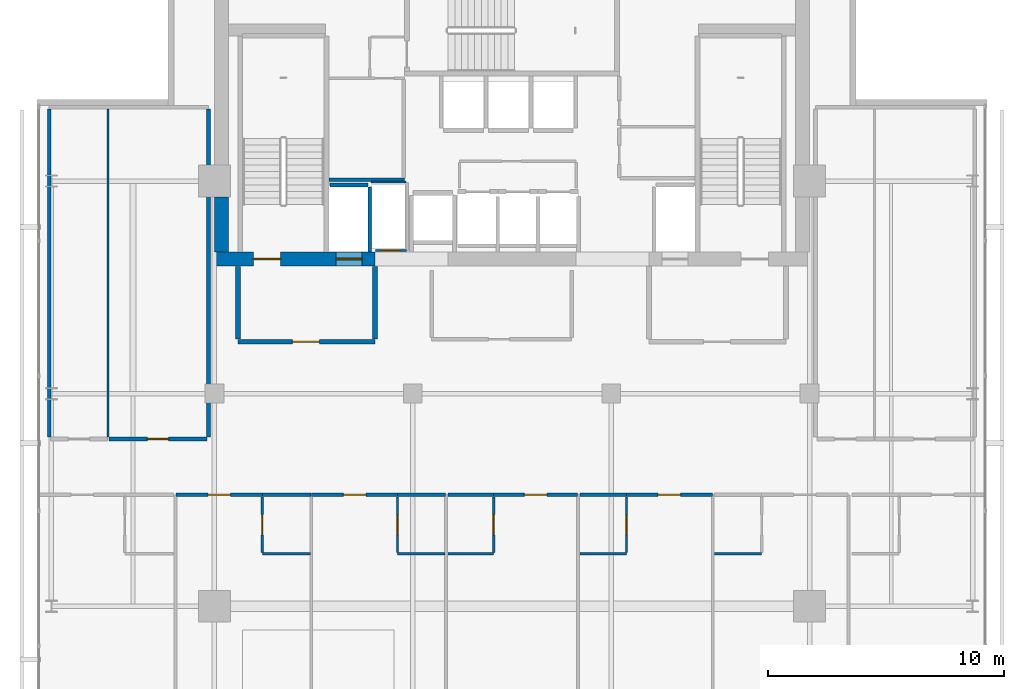
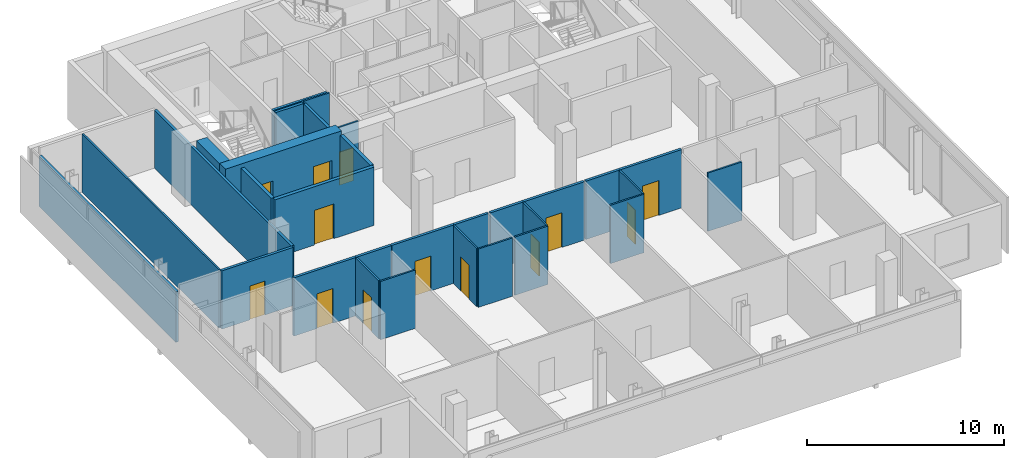
# One storey, part 17 of 24: 31 walls, 13 doors, 13 openings.
"""IFC4 building model written with IfcOpenShell, lengths in metres."""

from ifc_helpers import new_model, si_unit, direction, frame, frame_2d, origin, place, context, subcontext, project, spatial, rectangle, extrude, material, layer, layer_set, type_object, element, fill, save


model = new_model("IFC4")

# Units and contexts
model_context = context("Model", 3, precision=1e-05, world=origin(), true_north=direction((0.0, 1.0)))
body_context = subcontext(model_context, "Body", "Model", "MODEL_VIEW")
ifc_project = project(units=[si_unit("LENGTHUNIT", "METRE"), si_unit("AREAUNIT", "SQUARE_METRE"), si_unit("VOLUMEUNIT", "CUBIC_METRE"), si_unit("PLANEANGLEUNIT", "RADIAN"), si_unit("MASSUNIT", "GRAM", prefix="KILO")], contexts=[model_context])

# Site, building, storey
site_placement = place(None, origin())
site = spatial("IfcSite", under=ifc_project, at=site_placement, CompositionType="ELEMENT")
building_placement = place(site_placement, origin())
building = spatial("IfcBuilding", under=site, at=building_placement, Name="Maruvema Waterfront Hotel and Observation Tower", CompositionType="ELEMENT")
storey_placement = place(building_placement, frame((0.0, 0.0, 329.699951171875)))
storey = spatial("IfcBuildingStorey", under=building, at=storey_placement, Name="L81", CompositionType="ELEMENT", Elevation=329.699951171875)

# Walls
ifc_material_1 = material(Name="Twin-stud acoustic gypsum drywall", Category="gypsum")
ifc_layer_1 = layer(ifc_material_1, 0.14990234375, Name="Acoustic Corridor and Suite Demising Wall 150 mm")
ifc_layer_set_1 = layer_set([ifc_layer_1], Name="Twin-stud acoustic gypsum drywall")
wall_type_1 = type_object("IfcWallType", Name="Acoustic Corridor and Suite Demising Wall 150 mm", PredefinedType="PARTITIONING", material=ifc_layer_set_1)
wall_1_placement = place(storey_placement, frame((30.06005859375, 45.06005859375, 0.0), z_axis=(0.0, 0.0, 1.0), x_axis=(1.0, 0.0, 0.0)))
element("IfcWall", 1, at=wall_1_placement, inside=storey, type_object=wall_type_1, Name="L81 Freed B1 South Wall 013", PredefinedType="PARTITIONING", context=body_context, shape_type="SweptSolid", body=[
    extrude(rectangle(XDim=3.179931640625, YDim=0.14990234375, at=frame_2d((1.58984375, 0.0))), origin(), (0.0, 0.0, 1.0), 3.610107421875),
])
wall_2_placement = place(storey_placement, frame((18.199951171875, 34.159912109375, 0.0), z_axis=(0.0, 0.0, 1.0), x_axis=(0.0, 1.0, 0.0)))
element("IfcWall", 2, at=wall_2_placement, inside=storey, type_object=wall_type_1, Name="L81 L81-Z4W West Wall 026", PredefinedType="PARTITIONING", context=body_context, shape_type="SweptSolid", body=[
    extrude(rectangle(XDim=13.885009765625, YDim=0.14990234375, at=frame_2d((6.9423828125, 0.0))), origin(), (0.0, 0.0, 1.0), 3.14111328125),
])
wall_3_placement = place(storey_placement, frame((24.949951171875, 34.159912109375, 0.0), z_axis=(0.0, 0.0, 1.0), x_axis=(0.0, 1.0, 0.0)))
element("IfcWall", 3, at=wall_3_placement, inside=storey, type_object=wall_type_1, Name="L81 L81-Z4W East Wall 027", PredefinedType="PARTITIONING", context=body_context, shape_type="SweptSolid", body=[
    extrude(rectangle(XDim=13.885009765625, YDim=0.14990234375, at=frame_2d((6.9423828125, 0.0))), origin(), (0.0, 0.0, 1.0), 3.610107421875),
])

# Wall, opening, door
wall_4_placement = place(storey_placement, frame((20.7275390625, 34.080078125, 0.0), z_axis=(0.0, 0.0, 1.0), x_axis=(1.0, 0.0, 0.0)))
wall_4 = element("IfcWall", 4, at=wall_4_placement, inside=storey, type_object=wall_type_1, Name="L81 L81-Z4W Front 2 030", PredefinedType="PARTITIONING", context=body_context, shape_type="SweptSolid", body=[
    extrude(rectangle(XDim=4.162353515625, YDim=0.14990234375, at=frame_2d((2.0810546875, 0.0))), origin(), (0.0, 0.0, 1.0), 3.610107421875),
])
opening_1_placement = place(wall_4_placement, frame((1.63134765625, 0.0, 0.0)))
opening_1 = element("IfcOpeningElement", 5, at=opening_1_placement, cuts=wall_4, Name="Opening DR-090", PredefinedType="OPENING", context=body_context, shape_type="SweptSolid", body=[
    extrude(rectangle(XDim=0.89990234375, YDim=2.10009765625, at=frame_2d((0.449951171875, 1.050048828125))), frame((0.0, 0.0849609375, 0.0), z_axis=(0.0, -1.0, 0.0), x_axis=(1.0, 0.0, 0.0)), (0.0, 0.0, 1.0), 0.169921875),
])
ifc_material_2 = material(Name="Solid-core lacquered timber leaf", Category="wood")
door_type_1 = type_object("IfcDoorType", Name="Accessible Toilet and Room Door 900x2100 mm", OperationType="NOTDEFINED", PredefinedType="DOOR", material=ifc_material_2)
door_1_placement = place(opening_1_placement, frame((0.89990234375, 0.0, 0.0), z_axis=(0.0, 0.0, 1.0), x_axis=(-1.0, 0.0, 0.0)))
door_1 = element("IfcDoor", 6, at=door_1_placement, inside=storey, type_object=door_type_1, Name="L81 Sky Concierge Office Door", OperationType="SINGLE_SWING_RIGHT", OverallHeight=2.10009765625, OverallWidth=0.89990234375, PredefinedType="DOOR", context=body_context, shape_type="SweptSolid", body=[
    extrude(rectangle(XDim=0.89990234375, YDim=2.10009765625, at=frame_2d((0.449951171875, 1.050048828125))), frame((0.0, 0.02490234375, 0.0), z_axis=(0.0, -1.0, 0.0), x_axis=(1.0, 0.0, 0.0)), (0.0, 0.0, 1.0), 0.050048828125),
])
fill(opening_1, door_1)

# Wall
wall_5_placement = place(storey_placement, frame((27.22998046875, 31.719970703125, 0.0), z_axis=(0.0, 0.0, 1.0), x_axis=(1.0, 0.0, 0.0)))
element("IfcWall", 7, at=wall_5_placement, inside=storey, type_object=wall_type_1, Name="L81 Bath L81-SK1 Back Wall 039", PredefinedType="PARTITIONING", context=body_context, shape_type="SweptSolid", body=[
    extrude(rectangle(XDim=2.050048828125, YDim=0.14990234375, at=frame_2d((1.02490234375, 0.0))), origin(), (0.0, 0.0, 1.0), 3.610107421875),
])

# Wall, opening, door
wall_6_placement = place(storey_placement, frame((23.58251953125, 31.719970703125, 0.0), z_axis=(0.0, 0.0, 1.0), x_axis=(1.0, 0.0, 0.0)))
wall_6 = element("IfcWall", 8, at=wall_6_placement, inside=storey, type_object=wall_type_1, Name="L81 Unit L81-SK1 Corridor Wall 042", PredefinedType="PARTITIONING", context=body_context, shape_type="SweptSolid", body=[
    extrude(rectangle(XDim=3.6474609375, YDim=0.14990234375, at=frame_2d((1.82373046875, 0.0))), origin(), (0.0, 0.0, 1.0), 3.610107421875),
])
opening_2_placement = place(wall_6_placement, frame((1.348876953125, 0.0, 0.0)))
opening_2 = element("IfcOpeningElement", 9, at=opening_2_placement, cuts=wall_6, Name="Opening DR-095", PredefinedType="OPENING", context=body_context, shape_type="SweptSolid", body=[
    extrude(rectangle(XDim=0.949951171875, YDim=2.14990234375, at=frame_2d((0.47509765625, 1.074951171875))), frame((0.0, 0.0849609375, 0.0), z_axis=(0.0, -1.0, 0.0), x_axis=(1.0, 0.0, 0.0)), (0.0, 0.0, 1.0), 0.169921875),
])
ifc_material_3 = material(Name="Acoustic solid-core hardwood timber leaf", Category="wood")
door_type_2 = type_object("IfcDoorType", Name="Guestroom Entrance Fire Door 950x2150 mm", OperationType="NOTDEFINED", PredefinedType="DOOR", material=ifc_material_3)
door_2_placement = place(opening_2_placement, frame((0.949951171875, 0.0, 0.0), z_axis=(0.0, 0.0, 1.0), x_axis=(-1.0, 0.0, 0.0)))
door_2 = element("IfcDoor", 10, at=door_2_placement, inside=storey, type_object=door_type_2, Name="L81 Unit L81-SK1 Entrance Door", OperationType="SINGLE_SWING_RIGHT", OverallHeight=2.14990234375, OverallWidth=0.949951171875, PredefinedType="DOOR", context=body_context, shape_type="SweptSolid", body=[
    extrude(rectangle(XDim=0.949951171875, YDim=2.14990234375, at=frame_2d((0.47509765625, 1.074951171875))), frame((0.0, 0.02490234375, 0.0), z_axis=(0.0, -1.0, 0.0), x_axis=(1.0, 0.0, 0.0)), (0.0, 0.0, 1.0), 0.050048828125),
])
fill(opening_2, door_2)

# Wall
wall_7_placement = place(storey_placement, frame((32.949951171875, 31.719970703125, 0.0), z_axis=(0.0, 0.0, 1.0), x_axis=(1.0, 0.0, 0.0)))
element("IfcWall", 11, at=wall_7_placement, inside=storey, type_object=wall_type_1, Name="L81 Bath L81-SK2 Back Wall 045", PredefinedType="PARTITIONING", context=body_context, shape_type="SweptSolid", body=[
    extrude(rectangle(XDim=2.030029296875, YDim=0.14990234375, at=frame_2d((1.01513671875, 0.0))), origin(), (0.0, 0.0, 1.0), 3.610107421875),
])

# Wall, opening, door
wall_8_placement = place(storey_placement, frame((29.320068359375, 31.719970703125, 0.0), z_axis=(0.0, 0.0, 1.0), x_axis=(1.0, 0.0, 0.0)))
wall_8 = element("IfcWall", 12, at=wall_8_placement, inside=storey, type_object=wall_type_1, Name="L81 Unit L81-SK2 Corridor Wall 048", PredefinedType="PARTITIONING", context=body_context, shape_type="SweptSolid", body=[
    extrude(rectangle(XDim=3.6298828125, YDim=0.14990234375, at=frame_2d((1.81494140625, 0.0))), origin(), (0.0, 0.0, 1.0), 3.610107421875),
])
opening_3_placement = place(wall_8_placement, frame((1.340087890625, 0.0, 0.0)))
opening_3 = element("IfcOpeningElement", 13, at=opening_3_placement, cuts=wall_8, Name="Opening DR-095", PredefinedType="OPENING", context=body_context, shape_type="SweptSolid", body=[
    extrude(rectangle(XDim=0.949951171875, YDim=2.14990234375, at=frame_2d((0.47509765625, 1.074951171875))), frame((0.0, 0.0849609375, 0.0), z_axis=(0.0, -1.0, 0.0), x_axis=(1.0, 0.0, 0.0)), (0.0, 0.0, 1.0), 0.169921875),
])
door_3_placement = place(opening_3_placement, frame((0.949951171875, 0.0, 0.0), z_axis=(0.0, 0.0, 1.0), x_axis=(-1.0, 0.0, 0.0)))
door_3 = element("IfcDoor", 14, at=door_3_placement, inside=storey, type_object=door_type_2, Name="L81 Unit L81-SK2 Entrance Door", OperationType="SINGLE_SWING_LEFT", OverallHeight=2.14990234375, OverallWidth=0.949951171875, PredefinedType="DOOR", context=body_context, shape_type="SweptSolid", body=[
    extrude(rectangle(XDim=0.949951171875, YDim=2.14990234375, at=frame_2d((0.47509765625, 1.074951171875))), frame((0.0, 0.02490234375, 0.0), z_axis=(0.0, -1.0, 0.0), x_axis=(1.0, 0.0, 0.0)), (0.0, 0.0, 1.0), 0.050048828125),
])
fill(opening_3, door_3)

# Wall
wall_9_placement = place(storey_placement, frame((35.080078125, 31.719970703125, 0.0), z_axis=(0.0, 0.0, 1.0), x_axis=(1.0, 0.0, 0.0)))
element("IfcWall", 15, at=wall_9_placement, inside=storey, type_object=wall_type_1, Name="L81 Bath L81-SK3 Back Wall 051", PredefinedType="PARTITIONING", context=body_context, shape_type="SweptSolid", body=[
    extrude(rectangle(XDim=1.93994140625, YDim=0.14990234375, at=frame_2d((0.969970703125, 0.0))), origin(), (0.0, 0.0, 1.0), 3.610107421875),
])

# Wall, opening, door
wall_10_placement = place(storey_placement, frame((37.02001953125, 31.719970703125, 0.0), z_axis=(0.0, 0.0, 1.0), x_axis=(1.0, 0.0, 0.0)))
wall_10 = element("IfcWall", 16, at=wall_10_placement, inside=storey, type_object=wall_type_1, Name="L81 Unit L81-SK3 Corridor Wall 054", PredefinedType="PARTITIONING", context=body_context, shape_type="SweptSolid", body=[
    extrude(rectangle(XDim=3.56005859375, YDim=0.14990234375, at=frame_2d((1.780029296875, 0.0))), origin(), (0.0, 0.0, 1.0), 3.610107421875),
])
opening_4_placement = place(wall_10_placement, frame((1.304931640625, 0.0, 0.0)))
opening_4 = element("IfcOpeningElement", 17, at=opening_4_placement, cuts=wall_10, Name="Opening DR-095", PredefinedType="OPENING", context=body_context, shape_type="SweptSolid", body=[
    extrude(rectangle(XDim=0.949951171875, YDim=2.14990234375, at=frame_2d((0.47509765625, 1.074951171875))), frame((0.0, 0.0849609375, 0.0), z_axis=(0.0, -1.0, 0.0), x_axis=(1.0, 0.0, 0.0)), (0.0, 0.0, 1.0), 0.169921875),
])
door_4_placement = place(opening_4_placement, frame((0.949951171875, 0.0, 0.0), z_axis=(0.0, 0.0, 1.0), x_axis=(-1.0, 0.0, 0.0)))
door_4 = element("IfcDoor", 18, at=door_4_placement, inside=storey, type_object=door_type_2, Name="L81 Unit L81-SK3 Entrance Door", OperationType="SINGLE_SWING_RIGHT", OverallHeight=2.14990234375, OverallWidth=0.949951171875, PredefinedType="DOOR", context=body_context, shape_type="SweptSolid", body=[
    extrude(rectangle(XDim=0.949951171875, YDim=2.14990234375, at=frame_2d((0.47509765625, 1.074951171875))), frame((0.0, 0.02490234375, 0.0), z_axis=(0.0, -1.0, 0.0), x_axis=(1.0, 0.0, 0.0)), (0.0, 0.0, 1.0), 0.050048828125),
])
fill(opening_4, door_4)

# Wall
wall_11_placement = place(storey_placement, frame((40.679931640625, 31.719970703125, 0.0), z_axis=(0.0, 0.0, 1.0), x_axis=(1.0, 0.0, 0.0)))
element("IfcWall", 19, at=wall_11_placement, inside=storey, type_object=wall_type_1, Name="L81 Bath L81-SK4 Back Wall 057", PredefinedType="PARTITIONING", context=body_context, shape_type="SweptSolid", body=[
    extrude(rectangle(XDim=1.969970703125, YDim=0.14990234375, at=frame_2d((0.98486328125, 0.0))), origin(), (0.0, 0.0, 1.0), 3.610107421875),
])

# Wall, opening, door
wall_12_placement = place(storey_placement, frame((42.64990234375, 31.719970703125, 0.0), z_axis=(0.0, 0.0, 1.0), x_axis=(1.0, 0.0, 0.0)))
wall_12 = element("IfcWall", 20, at=wall_12_placement, inside=storey, type_object=wall_type_1, Name="L81 Unit L81-SK4 Corridor Wall 060", PredefinedType="PARTITIONING", context=body_context, shape_type="SweptSolid", body=[
    extrude(rectangle(XDim=3.630126953125, YDim=0.14990234375, at=frame_2d((1.81494140625, 0.0))), origin(), (0.0, 0.0, 1.0), 3.610107421875),
])
opening_5_placement = place(wall_12_placement, frame((1.340087890625, 0.0, 0.0)))
opening_5 = element("IfcOpeningElement", 21, at=opening_5_placement, cuts=wall_12, Name="Opening DR-095", PredefinedType="OPENING", context=body_context, shape_type="SweptSolid", body=[
    extrude(rectangle(XDim=0.949951171875, YDim=2.14990234375, at=frame_2d((0.47509765625, 1.074951171875))), frame((0.0, 0.0849609375, 0.0), z_axis=(0.0, -1.0, 0.0), x_axis=(1.0, 0.0, 0.0)), (0.0, 0.0, 1.0), 0.169921875),
])
door_5_placement = place(opening_5_placement, frame((0.949951171875, 0.0, 0.0), z_axis=(0.0, 0.0, 1.0), x_axis=(-1.0, 0.0, 0.0)))
door_5 = element("IfcDoor", 22, at=door_5_placement, inside=storey, type_object=door_type_2, Name="L81 Unit L81-SK4 Entrance Door", OperationType="SINGLE_SWING_LEFT", OverallHeight=2.14990234375, OverallWidth=0.949951171875, PredefinedType="DOOR", context=body_context, shape_type="SweptSolid", body=[
    extrude(rectangle(XDim=0.949951171875, YDim=2.14990234375, at=frame_2d((0.47509765625, 1.074951171875))), frame((0.0, 0.02490234375, 0.0), z_axis=(0.0, -1.0, 0.0), x_axis=(1.0, 0.0, 0.0)), (0.0, 0.0, 1.0), 0.050048828125),
])
fill(opening_5, door_5)

# Wall, openings, doors
ifc_material_4 = material(Name="Concrete C60/75", Category="concrete")
ifc_layer_2 = layer(ifc_material_4, 0.60009765625, Name="Core Shear Wall 600 mm")
ifc_layer_set_2 = layer_set([ifc_layer_2], Name="Concrete C60/75")
wall_type_2 = type_object("IfcWallType", Name="Core Shear Wall 600 mm", PredefinedType="SHEAR", material=ifc_layer_set_2)
wall_13_placement = place(storey_placement, frame((25.199951171875, 41.699951171875, 0.0), z_axis=(0.0, 0.0, 1.0), x_axis=(1.0, 0.0, 0.0)))
wall_13 = element("IfcWall", 23, at=wall_13_placement, inside=storey, type_object=wall_type_2, Name="L81 South-West Core Shear Wall", PredefinedType="SHEAR", context=body_context, shape_type="SweptSolid", body=[
    extrude(rectangle(XDim=6.800048828125, YDim=0.60009765625, at=frame_2d((3.39990234375, 0.0))), origin(), (0.0, 0.0, 1.0), 3.85009765625),
])
opening_6_placement = place(wall_13_placement, frame((1.64990234375, 0.0, 0.0)))
opening_6 = element("IfcOpeningElement", 24, at=opening_6_placement, cuts=wall_13, Name="Opening SD-01", PredefinedType="OPENING", context=body_context, shape_type="SweptSolid", body=[
    extrude(rectangle(XDim=1.14990234375, YDim=2.14990234375, at=frame_2d((0.574951171875, 1.074951171875))), frame((0.0, 0.31005859375, 0.0), z_axis=(0.0, -1.0, 0.0), x_axis=(1.0, 0.0, 0.0)), (0.0, 0.0, 1.0), 0.6201171875),
])
opening_7_placement = place(wall_13_placement, frame((5.14990234375, 0.0, 0.0)))
opening_7 = element("IfcOpeningElement", 25, at=opening_7_placement, cuts=wall_13, Name="Opening LD-03", PredefinedType="OPENING", context=body_context, shape_type="SweptSolid", body=[
    extrude(rectangle(XDim=1.10009765625, YDim=2.199951171875, at=frame_2d((0.550048828125, 1.10009765625))), frame((0.0, 0.31005859375, 0.0), z_axis=(0.0, -1.0, 0.0), x_axis=(1.0, 0.0, 0.0)), (0.0, 0.0, 1.0), 0.6201171875),
])
ifc_material_5 = material(Name="Fire-rated galvanised steel leaf", Category="steel")
door_type_3 = type_object("IfcDoorType", Name="Exit Stair Fire Door 1150x2150 mm", OperationType="NOTDEFINED", PredefinedType="DOOR", material=ifc_material_5)
door_6_placement = place(opening_6_placement, origin())
door_6 = element("IfcDoor", 26, at=door_6_placement, inside=storey, type_object=door_type_3, Name="L81 Exit Stair ST-01 Fire Door", OperationType="SINGLE_SWING_LEFT", OverallHeight=2.14990234375, OverallWidth=1.14990234375, PredefinedType="DOOR", context=body_context, shape_type="SweptSolid", body=[
    extrude(rectangle(XDim=1.14990234375, YDim=2.14990234375, at=frame_2d((0.574951171875, 1.074951171875))), frame((0.0, 0.02490234375, 0.0), z_axis=(0.0, -1.0, 0.0), x_axis=(1.0, 0.0, 0.0)), (0.0, 0.0, 1.0), 0.050048828125),
])
fill(opening_6, door_6)
ifc_material_6 = material(Name="Brushed stainless steel Grade 316", Category="steel")
door_type_4 = type_object("IfcDoorType", Name="Firefighting Lift Sliding Landing Door 1100x2200 mm", OperationType="SLIDING_TO_LEFT", PredefinedType="DOOR", material=ifc_material_6)
door_7_placement = place(opening_7_placement, frame((1.10009765625, 0.0, 0.0), z_axis=(0.0, 0.0, 1.0), x_axis=(-1.0, 0.0, 0.0)))
door_7 = element("IfcDoor", 27, at=door_7_placement, inside=storey, type_object=door_type_4, Name="L81 Firefighting Lift FL-01 Landing Door", OperationType="SLIDING_TO_LEFT", OverallHeight=2.199951171875, OverallWidth=1.10009765625, PredefinedType="DOOR", context=body_context, shape_type="SweptSolid", body=[
    extrude(rectangle(XDim=1.10009765625, YDim=2.199951171875, at=frame_2d((0.550048828125, 1.10009765625))), frame((0.0, 0.02490234375, 0.0), z_axis=(0.0, -1.0, 0.0), x_axis=(1.0, 0.0, 0.0)), (0.0, 0.0, 1.0), 0.050048828125),
])
fill(opening_7, door_7)

# Wall
wall_14_placement = place(storey_placement, frame((25.5, 42.0, 0.0), z_axis=(0.0, 0.0, 1.0), x_axis=(0.0, 1.0, 0.0)))
element("IfcWall", 28, at=wall_14_placement, inside=storey, type_object=wall_type_2, Name="L81 West-South Core Shear Wall", PredefinedType="SHEAR", context=body_context, shape_type="SweptSolid", body=[
    extrude(rectangle(XDim=2.324951171875, YDim=0.60009765625, at=frame_2d((1.16259765625, 0.0))), origin(), (0.0, 0.0, 1.0), 3.85009765625),
])

# Wall, opening, door
ifc_material_7 = material(Name="Moisture-resistant cement-board drywall", Category="gypsum")
ifc_layer_3 = layer(ifc_material_7, 0.10009765625, Name="En-Suite Moisture-Resistant Partition 100 mm")
ifc_layer_set_3 = layer_set([ifc_layer_3], Name="Moisture-resistant cement-board drywall")
wall_type_3 = type_object("IfcWallType", Name="En-Suite Moisture-Resistant Partition 100 mm", PredefinedType="PARTITIONING", material=ifc_layer_set_3)
wall_15_placement = place(storey_placement, frame((32.02001953125, 42.06005859375, 0.0), z_axis=(0.0, 0.0, 1.0), x_axis=(1.0, 0.0, 0.0)))
wall_15 = element("IfcWall", 29, at=wall_15_placement, inside=storey, type_object=wall_type_3, Name="L81 Telecom Riser South Wall 007", PredefinedType="PARTITIONING", context=body_context, shape_type="SweptSolid", body=[
    extrude(rectangle(XDim=1.320068359375, YDim=0.10009765625, at=frame_2d((0.66015625, 0.0))), origin(), (0.0, 0.0, 1.0), 3.610107421875),
])
opening_8_placement = place(wall_15_placement, frame((0.239990234375, 0.0, 0.0)))
opening_8 = element("IfcOpeningElement", 30, at=opening_8_placement, cuts=wall_15, Name="Opening DR-080", PredefinedType="OPENING", context=body_context, shape_type="SweptSolid", body=[
    extrude(rectangle(XDim=0.800048828125, YDim=2.050048828125, at=frame_2d((0.39990234375, 1.02490234375))), frame((0.0, 0.06005859375, 0.0), z_axis=(0.0, -1.0, 0.0), x_axis=(1.0, 0.0, 0.0)), (0.0, 0.0, 1.0), 0.1201171875),
])
ifc_material_8 = material(Name="Powder-coated steel access leaf", Category="steel")
door_type_5 = type_object("IfcDoorType", Name="Riser and Service Cupboard Door 800x2050 mm", OperationType="NOTDEFINED", PredefinedType="DOOR", material=ifc_material_8)
door_8_placement = place(opening_8_placement, frame((0.800048828125, 0.0, 0.0), z_axis=(0.0, 0.0, 1.0), x_axis=(-1.0, 0.0, 0.0)))
door_8 = element("IfcDoor", 31, at=door_8_placement, inside=storey, type_object=door_type_5, Name="L81 Telecom Riser Door", OperationType="SINGLE_SWING_RIGHT", OverallHeight=2.050048828125, OverallWidth=0.800048828125, PredefinedType="DOOR", context=body_context, shape_type="SweptSolid", body=[
    extrude(rectangle(XDim=0.800048828125, YDim=2.050048828125, at=frame_2d((0.39990234375, 1.02490234375))), frame((0.0, 0.02490234375, 0.0), z_axis=(0.0, -1.0, 0.0), x_axis=(1.0, 0.0, 0.0)), (0.0, 0.0, 1.0), 0.050048828125),
])
fill(opening_8, door_8)

# Walls
wall_16_placement = place(storey_placement, frame((31.840087890625, 44.9599609375, 0.0), z_axis=(0.0, 0.0, 1.0), x_axis=(1.0, 0.0, 0.0)))
element("IfcWall", 32, at=wall_16_placement, inside=storey, type_object=wall_type_3, Name="L81 Telecom Riser North Wall 008", PredefinedType="PARTITIONING", context=body_context, shape_type="SweptSolid", body=[
    extrude(rectangle(XDim=1.47998046875, YDim=0.10009765625, at=frame_2d((0.739990234375, 0.0))), origin(), (0.0, 0.0, 1.0), 3.610107421875),
])
wall_17_placement = place(storey_placement, frame((20.697509765625, 34.159912109375, 0.0), z_axis=(0.0, 0.0, 1.0), x_axis=(0.0, 1.0, 0.0)))
element("IfcWall", 33, at=wall_17_placement, inside=storey, type_object=wall_type_3, Name="L81 L81-Z4W Split 1 029", PredefinedType="PARTITIONING", context=body_context, shape_type="SweptSolid", body=[
    extrude(rectangle(XDim=13.885009765625, YDim=0.10009765625, at=frame_2d((6.9423828125, 0.0))), origin(), (0.0, 0.0, 1.0), 3.610107421875),
])
wall_18_placement = place(storey_placement, frame((27.22998046875, 29.219970703125, 0.0), z_axis=(0.0, 0.0, 1.0), x_axis=(1.0, 0.0, 0.0)))
element("IfcWall", 34, at=wall_18_placement, inside=storey, type_object=wall_type_3, Name="L81 En-Suite L81-SK1 South 040", PredefinedType="PARTITIONING", context=body_context, shape_type="SweptSolid", body=[
    extrude(rectangle(XDim=2.030029296875, YDim=0.10009765625, at=frame_2d((1.01513671875, 0.0))), origin(), (0.0, 0.0, 1.0), 3.610107421875),
])

# Wall, opening, door
wall_19_placement = place(storey_placement, frame((27.22998046875, 29.280029296875, 0.0), z_axis=(0.0, 0.0, 1.0), x_axis=(0.0, 1.0, 0.0)))
wall_19 = element("IfcWall", 35, at=wall_19_placement, inside=storey, type_object=wall_type_3, Name="L81 En-Suite L81-SK1 West 041", PredefinedType="PARTITIONING", context=body_context, shape_type="SweptSolid", body=[
    extrude(rectangle(XDim=2.340087890625, YDim=0.10009765625, at=frame_2d((1.169921875, 0.0))), origin(), (0.0, 0.0, 1.0), 3.610107421875),
])
opening_9_placement = place(wall_19_placement, frame((0.7451171875, 0.0, 0.0)))
opening_9 = element("IfcOpeningElement", 36, at=opening_9_placement, cuts=wall_19, Name="Opening DR-085", PredefinedType="OPENING", context=body_context, shape_type="SweptSolid", body=[
    extrude(rectangle(XDim=0.85009765625, YDim=2.10009765625, at=frame_2d((0.425048828125, 1.050048828125))), frame((0.0, 0.06005859375, 0.0), z_axis=(0.0, -1.0, 0.0), x_axis=(1.0, 0.0, 0.0)), (0.0, 0.0, 1.0), 0.1201171875),
])
ifc_material_9 = material(Name="Moisture-resistant solid timber leaf", Category="wood")
door_type_6 = type_object("IfcDoorType", Name="En-Suite Bathroom Door 850x2100 mm", OperationType="NOTDEFINED", PredefinedType="DOOR", material=ifc_material_9)
door_9_placement = place(opening_9_placement, origin())
door_9 = element("IfcDoor", 37, at=door_9_placement, inside=storey, type_object=door_type_6, Name="L81 En-Suite L81-SK1 Door", OperationType="SINGLE_SWING_LEFT", OverallHeight=2.10009765625, OverallWidth=0.85009765625, PredefinedType="DOOR", context=body_context, shape_type="SweptSolid", body=[
    extrude(rectangle(XDim=0.85009765625, YDim=2.10009765625, at=frame_2d((0.425048828125, 1.050048828125))), frame((0.0, 0.02490234375, 0.0), z_axis=(0.0, -1.0, 0.0), x_axis=(1.0, 0.0, 0.0)), (0.0, 0.0, 1.0), 0.050048828125),
])
fill(opening_9, door_9)

# Wall
wall_20_placement = place(storey_placement, frame((32.949951171875, 29.219970703125, 0.0), z_axis=(0.0, 0.0, 1.0), x_axis=(1.0, 0.0, 0.0)))
element("IfcWall", 38, at=wall_20_placement, inside=storey, type_object=wall_type_3, Name="L81 En-Suite L81-SK2 South 046", PredefinedType="PARTITIONING", context=body_context, shape_type="SweptSolid", body=[
    extrude(rectangle(XDim=2.010009765625, YDim=0.10009765625, at=frame_2d((1.0048828125, 0.0))), origin(), (0.0, 0.0, 1.0), 3.610107421875),
])

# Wall, opening, door
wall_21_placement = place(storey_placement, frame((32.949951171875, 29.280029296875, 0.0), z_axis=(0.0, 0.0, 1.0), x_axis=(0.0, 1.0, 0.0)))
wall_21 = element("IfcWall", 39, at=wall_21_placement, inside=storey, type_object=wall_type_3, Name="L81 En-Suite L81-SK2 West 047", PredefinedType="PARTITIONING", context=body_context, shape_type="SweptSolid", body=[
    extrude(rectangle(XDim=2.340087890625, YDim=0.10009765625, at=frame_2d((1.169921875, 0.0))), origin(), (0.0, 0.0, 1.0), 3.610107421875),
])
opening_10_placement = place(wall_21_placement, frame((0.7451171875, 0.0, 0.0)))
opening_10 = element("IfcOpeningElement", 40, at=opening_10_placement, cuts=wall_21, Name="Opening DR-085", PredefinedType="OPENING", context=body_context, shape_type="SweptSolid", body=[
    extrude(rectangle(XDim=0.85009765625, YDim=2.10009765625, at=frame_2d((0.425048828125, 1.050048828125))), frame((0.0, 0.06005859375, 0.0), z_axis=(0.0, -1.0, 0.0), x_axis=(1.0, 0.0, 0.0)), (0.0, 0.0, 1.0), 0.1201171875),
])
door_10_placement = place(opening_10_placement, origin())
door_10 = element("IfcDoor", 41, at=door_10_placement, inside=storey, type_object=door_type_6, Name="L81 En-Suite L81-SK2 Door", OperationType="SINGLE_SWING_RIGHT", OverallHeight=2.10009765625, OverallWidth=0.85009765625, PredefinedType="DOOR", context=body_context, shape_type="SweptSolid", body=[
    extrude(rectangle(XDim=0.85009765625, YDim=2.10009765625, at=frame_2d((0.425048828125, 1.050048828125))), frame((0.0, 0.02490234375, 0.0), z_axis=(0.0, -1.0, 0.0), x_axis=(1.0, 0.0, 0.0)), (0.0, 0.0, 1.0), 0.050048828125),
])
fill(opening_10, door_10)

# Wall
wall_22_placement = place(storey_placement, frame((35.080078125, 29.219970703125, 0.0), z_axis=(0.0, 0.0, 1.0), x_axis=(1.0, 0.0, 0.0)))
element("IfcWall", 42, at=wall_22_placement, inside=storey, type_object=wall_type_3, Name="L81 En-Suite L81-SK3 South 052", PredefinedType="PARTITIONING", context=body_context, shape_type="SweptSolid", body=[
    extrude(rectangle(XDim=1.93994140625, YDim=0.10009765625, at=frame_2d((0.969970703125, 0.0))), origin(), (0.0, 0.0, 1.0), 3.610107421875),
])

# Wall, opening, door
wall_23_placement = place(storey_placement, frame((37.02001953125, 29.280029296875, 0.0), z_axis=(0.0, 0.0, 1.0), x_axis=(0.0, 1.0, 0.0)))
wall_23 = element("IfcWall", 43, at=wall_23_placement, inside=storey, type_object=wall_type_3, Name="L81 En-Suite L81-SK3 East 053", PredefinedType="PARTITIONING", context=body_context, shape_type="SweptSolid", body=[
    extrude(rectangle(XDim=2.340087890625, YDim=0.10009765625, at=frame_2d((1.169921875, 0.0))), origin(), (0.0, 0.0, 1.0), 3.610107421875),
])
opening_11_placement = place(wall_23_placement, frame((0.7451171875, 0.0, 0.0)))
opening_11 = element("IfcOpeningElement", 44, at=opening_11_placement, cuts=wall_23, Name="Opening DR-085", PredefinedType="OPENING", context=body_context, shape_type="SweptSolid", body=[
    extrude(rectangle(XDim=0.85009765625, YDim=2.10009765625, at=frame_2d((0.425048828125, 1.050048828125))), frame((0.0, 0.06005859375, 0.0), z_axis=(0.0, -1.0, 0.0), x_axis=(1.0, 0.0, 0.0)), (0.0, 0.0, 1.0), 0.1201171875),
])
door_11_placement = place(opening_11_placement, frame((0.85009765625, 0.0, 0.0), z_axis=(0.0, 0.0, 1.0), x_axis=(-1.0, 0.0, 0.0)))
door_11 = element("IfcDoor", 45, at=door_11_placement, inside=storey, type_object=door_type_6, Name="L81 En-Suite L81-SK3 Door", OperationType="SINGLE_SWING_LEFT", OverallHeight=2.10009765625, OverallWidth=0.85009765625, PredefinedType="DOOR", context=body_context, shape_type="SweptSolid", body=[
    extrude(rectangle(XDim=0.85009765625, YDim=2.10009765625, at=frame_2d((0.425048828125, 1.050048828125))), frame((0.0, 0.02490234375, 0.0), z_axis=(0.0, -1.0, 0.0), x_axis=(1.0, 0.0, 0.0)), (0.0, 0.0, 1.0), 0.050048828125),
])
fill(opening_11, door_11)

# Wall
wall_24_placement = place(storey_placement, frame((40.679931640625, 29.219970703125, 0.0), z_axis=(0.0, 0.0, 1.0), x_axis=(1.0, 0.0, 0.0)))
element("IfcWall", 46, at=wall_24_placement, inside=storey, type_object=wall_type_3, Name="L81 En-Suite L81-SK4 South 058", PredefinedType="PARTITIONING", context=body_context, shape_type="SweptSolid", body=[
    extrude(rectangle(XDim=1.969970703125, YDim=0.10009765625, at=frame_2d((0.98486328125, 0.0))), origin(), (0.0, 0.0, 1.0), 3.610107421875),
])

# Wall, opening, door
wall_25_placement = place(storey_placement, frame((42.64990234375, 29.280029296875, 0.0), z_axis=(0.0, 0.0, 1.0), x_axis=(0.0, 1.0, 0.0)))
wall_25 = element("IfcWall", 47, at=wall_25_placement, inside=storey, type_object=wall_type_3, Name="L81 En-Suite L81-SK4 East 059", PredefinedType="PARTITIONING", context=body_context, shape_type="SweptSolid", body=[
    extrude(rectangle(XDim=2.340087890625, YDim=0.10009765625, at=frame_2d((1.169921875, 0.0))), origin(), (0.0, 0.0, 1.0), 3.610107421875),
])
opening_12_placement = place(wall_25_placement, frame((0.7451171875, 0.0, 0.0)))
opening_12 = element("IfcOpeningElement", 48, at=opening_12_placement, cuts=wall_25, Name="Opening DR-085", PredefinedType="OPENING", context=body_context, shape_type="SweptSolid", body=[
    extrude(rectangle(XDim=0.85009765625, YDim=2.10009765625, at=frame_2d((0.425048828125, 1.050048828125))), frame((0.0, 0.06005859375, 0.0), z_axis=(0.0, -1.0, 0.0), x_axis=(1.0, 0.0, 0.0)), (0.0, 0.0, 1.0), 0.1201171875),
])
door_12_placement = place(opening_12_placement, frame((0.85009765625, 0.0, 0.0), z_axis=(0.0, 0.0, 1.0), x_axis=(-1.0, 0.0, 0.0)))
door_12 = element("IfcDoor", 49, at=door_12_placement, inside=storey, type_object=door_type_6, Name="L81 En-Suite L81-SK4 Door", OperationType="SINGLE_SWING_RIGHT", OverallHeight=2.10009765625, OverallWidth=0.85009765625, PredefinedType="DOOR", context=body_context, shape_type="SweptSolid", body=[
    extrude(rectangle(XDim=0.85009765625, YDim=2.10009765625, at=frame_2d((0.425048828125, 1.050048828125))), frame((0.0, 0.02490234375, 0.0), z_axis=(0.0, -1.0, 0.0), x_axis=(1.0, 0.0, 0.0)), (0.0, 0.0, 1.0), 0.050048828125),
])
fill(opening_12, door_12)

# Wall
wall_26_placement = place(storey_placement, frame((46.3798828125, 29.219970703125, 0.0), z_axis=(0.0, 0.0, 1.0), x_axis=(1.0, 0.0, 0.0)))
element("IfcWall", 50, at=wall_26_placement, inside=storey, type_object=wall_type_3, Name="L81 En-Suite L81-SK5 South 064", PredefinedType="PARTITIONING", context=body_context, shape_type="SweptSolid", body=[
    extrude(rectangle(XDim=1.990234375, YDim=0.10009765625, at=frame_2d((0.9951171875, 0.0))), origin(), (0.0, 0.0, 1.0), 3.610107421875),
])

# Wall, opening, door
ifc_material_10 = material(Name="Autoclaved cellular concrete blockwork", Category="masonry")
ifc_layer_4 = layer(ifc_material_10, 0.199951171875, Name="Fire Compartment Masonry Wall 200 mm")
ifc_layer_set_4 = layer_set([ifc_layer_4], Name="Autoclaved cellular concrete blockwork")
wall_type_4 = type_object("IfcWallType", Name="Fire Compartment Masonry Wall 200 mm", PredefinedType="PARTITIONING", material=ifc_layer_set_4)
wall_27_placement = place(storey_placement, frame((26.199951171875, 38.199951171875, 0.0), z_axis=(0.0, 0.0, 1.0), x_axis=(1.0, 0.0, 0.0)))
wall_27 = element("IfcWall", 51, at=wall_27_placement, inside=storey, type_object=wall_type_4, Name="L81 FFL West South Wall 001", PredefinedType="PARTITIONING", context=body_context, shape_type="SweptSolid", body=[
    extrude(rectangle(XDim=5.800048828125, YDim=0.199951171875, at=frame_2d((2.89990234375, 0.0))), origin(), (0.0, 0.0, 1.0), 3.610107421875),
])
opening_13_placement = place(wall_27_placement, frame((2.300048828125, 0.0, 0.0)))
opening_13 = element("IfcOpeningElement", 52, at=opening_13_placement, cuts=wall_27, Name="Opening FD-115", PredefinedType="OPENING", context=body_context, shape_type="SweptSolid", body=[
    extrude(rectangle(XDim=1.14990234375, YDim=2.14990234375, at=frame_2d((0.574951171875, 1.074951171875))), frame((0.0, 0.10986328125, 0.0), z_axis=(0.0, -1.0, 0.0), x_axis=(1.0, 0.0, 0.0)), (0.0, 0.0, 1.0), 0.219970703125),
])
ifc_material_11 = material(Name="Fire-rated galvanised steel and vision glass", Category="steel")
door_type_7 = type_object("IfcDoorType", Name="Firefighting Lobby Fire Door 1150x2150 mm", OperationType="NOTDEFINED", PredefinedType="DOOR", material=ifc_material_11)
door_13_placement = place(opening_13_placement, frame((1.14990234375, 0.0, 0.0), z_axis=(0.0, 0.0, 1.0), x_axis=(-1.0, 0.0, 0.0)))
door_13 = element("IfcDoor", 53, at=door_13_placement, inside=storey, type_object=door_type_7, Name="L81 Firefighting Lobby West Door", OperationType="SINGLE_SWING_RIGHT", OverallHeight=2.14990234375, OverallWidth=1.14990234375, PredefinedType="DOOR", context=body_context, shape_type="SweptSolid", body=[
    extrude(rectangle(XDim=1.14990234375, YDim=2.14990234375, at=frame_2d((0.574951171875, 1.074951171875))), frame((0.0, 0.02490234375, 0.0), z_axis=(0.0, -1.0, 0.0), x_axis=(1.0, 0.0, 0.0)), (0.0, 0.0, 1.0), 0.050048828125),
])
fill(opening_13, door_13)

# Walls
for number, where, z_axis, x_axis, name in (
    (54, (26.199951171875, 38.31005859375, 0.0), (0.0, 0.0, 1.0), (0.0, 1.0, 0.0), "L81 FFL West West Wall 002"),
    (55, (32.0, 38.31005859375, 0.0), (0.0, 0.0, 1.0), (0.0, 1.0, 0.0), "L81 FFL West East Wall 003"),
):
    element("IfcWall", number, at=place(storey_placement, frame(where, z_axis=z_axis, x_axis=x_axis)), inside=storey, type_object=wall_type_4, Name=name, PredefinedType="PARTITIONING", context=body_context, shape_type="SweptSolid", body=[
        extrude(rectangle(XDim=3.06982421875, YDim=0.199951171875, at=frame_2d((1.534912109375, 0.0))), origin(), (0.0, 0.0, 1.0), 3.610107421875),
    ])
ifc_material_12 = material(Name="Precast concrete C45/55", Category="concrete")
ifc_layer_5 = layer(ifc_material_12, 0.159912109375, Name="Lift Hoistway Divider Wall 160 mm")
ifc_layer_set_5 = layer_set([ifc_layer_5], Name="Precast concrete C45/55")
wall_type_5 = type_object("IfcWallType", Name="Lift Hoistway Divider Wall 160 mm", PredefinedType="SOLIDWALL", material=ifc_layer_set_5)
wall_28_placement = place(storey_placement, frame((30.10009765625, 44.830078125, 0.0), z_axis=(0.0, 0.0, 1.0), x_axis=(1.0, 0.0, 0.0)))
element("IfcWall", 56, at=wall_28_placement, inside=storey, type_object=wall_type_5, Name="L81 Lift FL-01 Rear Hoistway Wall", PredefinedType="SOLIDWALL", context=body_context, shape_type="SweptSolid", body=[
    extrude(rectangle(XDim=1.599853515625, YDim=0.159912109375, at=frame_2d((0.7998046875, 0.0))), origin(), (0.0, 0.0, 1.0), 3.610107421875),
])
wall_29_placement = place(storey_placement, frame((31.780029296875, 42.0, 0.0), z_axis=(0.0, 0.0, 1.0), x_axis=(0.0, 1.0, 0.0)))
element("IfcWall", 57, at=wall_29_placement, inside=storey, type_object=wall_type_5, Name="L81 Lift FL-01 Inner Hoistway Wall", PredefinedType="SOLIDWALL", context=body_context, shape_type="SweptSolid", body=[
    extrude(rectangle(XDim=2.739990234375, YDim=0.159912109375, at=frame_2d((1.3701171875, 0.0))), origin(), (0.0, 0.0, 1.0), 3.610107421875),
])

save(model, "model.ifc")
